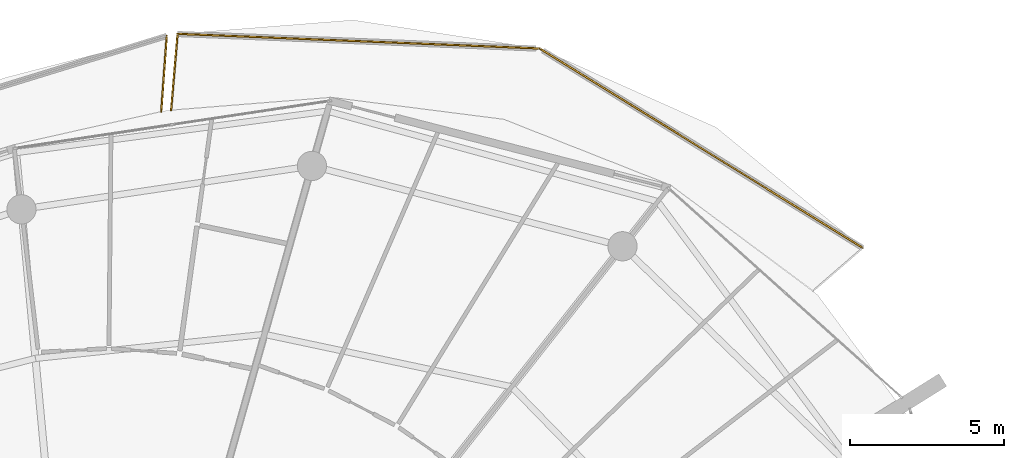
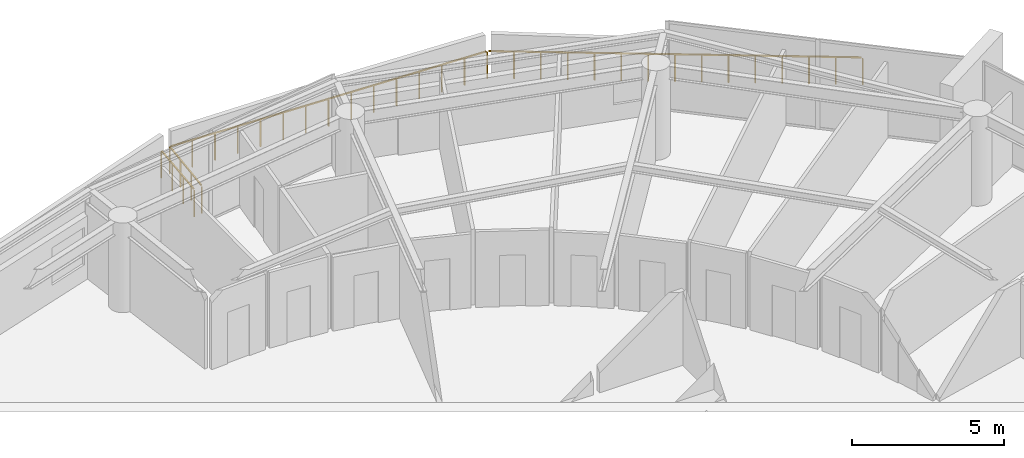
# One storey, part 30 of 30: 4 railings.
"""IFC4 building model written with IfcOpenShell, lengths in metres."""

from ifc_helpers import new_model, si_unit, direction, frame, origin, origin_2d, place, context, subcontext, project, spatial, rectangle, extrude, material, type_object, element, save


model = new_model("IFC4")

# Units and contexts
model_context = context("Model", 3, precision=1e-05, world=origin(), true_north=direction((0.0, 1.0)))
body_context = subcontext(model_context, "Body", "Model", "MODEL_VIEW")
ifc_project = project(units=[si_unit("LENGTHUNIT", "METRE"), si_unit("AREAUNIT", "SQUARE_METRE"), si_unit("VOLUMEUNIT", "CUBIC_METRE"), si_unit("PLANEANGLEUNIT", "RADIAN"), si_unit("MASSUNIT", "GRAM", prefix="KILO")], contexts=[model_context])

# Site, building, storey
site_placement = place(None, origin())
site = spatial("IfcSite", under=ifc_project, at=site_placement, CompositionType="ELEMENT")
building_placement = place(site_placement, origin())
building = spatial("IfcBuilding", under=site, at=building_placement, Name="Kazma Halo Residences", CompositionType="ELEMENT")
storey_placement = place(building_placement, frame((0.0, 0.0, 255.949951171875)))
storey = spatial("IfcBuildingStorey", under=building, at=storey_placement, Name="L64", CompositionType="ELEMENT", Elevation=255.949951171875)

# Railings
ifc_material = material(Name="Aluminium AW-6063 T6 Brushed Cap Rail", Category="aluminium")
railing_type = type_object("IfcRailingType", Name="RLG-BAL-CAP-1120", PredefinedType="BALUSTRADE", material=ifc_material)
railing_1_placement = place(storey_placement, frame((72.651611328125, 63.31640625, 0.0)))
element("IfcRailing", 1, at=railing_1_placement, inside=storey, type_object=railing_type, Name="L64 NE wave balcony guard 2", PredefinedType="BALUSTRADE", context=body_context, shape_type="SweptSolid", body=[
    extrude(rectangle(XDim=0.050048828125, YDim=0.050048828125, at=origin_2d()), frame((-0.0361328125, 0.0224609375, 1.09521484375), z_axis=(-0.85090135907, 0.525325496367, 0.0), x_axis=(-0.525325496367, -0.85090135907, 0.0)), (0.0, 0.0, 1.0), 12.24365234375),
    extrude(rectangle(XDim=0.0400390625, YDim=0.0400390625, at=origin_2d()), origin(), (0.0, 0.0, 1.0), 1.05810546875),
    extrude(rectangle(XDim=0.0400390625, YDim=0.0400390625, at=origin_2d()), frame((-0.749267578125, 0.462646484375, 0.0)), (0.0, 0.0, 1.0), 1.05810546875),
    extrude(rectangle(XDim=0.0400390625, YDim=0.0400390625, at=origin_2d()), frame((-1.49853515625, 0.92529296875, 0.0)), (0.0, 0.0, 1.0), 1.05810546875),
    extrude(rectangle(XDim=0.0400390625, YDim=0.0400390625, at=origin_2d()), frame((-2.248046875, 1.387939453125, 0.0)), (0.0, 0.0, 1.0), 1.05810546875),
    extrude(rectangle(XDim=0.0400390625, YDim=0.0400390625, at=origin_2d()), frame((-2.997314453125, 1.850341796875, 0.0)), (0.0, 0.0, 1.0), 1.05810546875),
    extrude(rectangle(XDim=0.0400390625, YDim=0.0400390625, at=origin_2d()), frame((-3.74658203125, 2.31298828125, 0.0)), (0.0, 0.0, 1.0), 1.05810546875),
    extrude(rectangle(XDim=0.0400390625, YDim=0.0400390625, at=origin_2d()), frame((-4.495849609375, 2.775634765625, 0.0)), (0.0, 0.0, 1.0), 1.05810546875),
    extrude(rectangle(XDim=0.0400390625, YDim=0.0400390625, at=origin_2d()), frame((-5.2451171875, 3.23828125, 0.0)), (0.0, 0.0, 1.0), 1.05810546875),
    extrude(rectangle(XDim=0.0400390625, YDim=0.0400390625, at=origin_2d()), frame((-5.99462890625, 3.700927734375, 0.0)), (0.0, 0.0, 1.0), 1.05810546875),
    extrude(rectangle(XDim=0.0400390625, YDim=0.0400390625, at=origin_2d()), frame((-6.743896484375, 4.16357421875, 0.0)), (0.0, 0.0, 1.0), 1.05810546875),
    extrude(rectangle(XDim=0.0400390625, YDim=0.0400390625, at=origin_2d()), frame((-7.4931640625, 4.626220703125, 0.0)), (0.0, 0.0, 1.0), 1.05810546875),
    extrude(rectangle(XDim=0.0400390625, YDim=0.0400390625, at=origin_2d()), frame((-8.242431640625, 5.088623046875, 0.0)), (0.0, 0.0, 1.0), 1.05810546875),
    extrude(rectangle(XDim=0.0400390625, YDim=0.0400390625, at=origin_2d()), frame((-8.991943359375, 5.55126953125, 0.0)), (0.0, 0.0, 1.0), 1.05810546875),
    extrude(rectangle(XDim=0.0400390625, YDim=0.0400390625, at=origin_2d()), frame((-9.7412109375, 6.013916015625, 0.0)), (0.0, 0.0, 1.0), 1.05810546875),
    extrude(rectangle(XDim=0.0400390625, YDim=0.0400390625, at=origin_2d()), frame((-10.490478515625, 6.4765625, 0.0)), (0.0, 0.0, 1.0), 1.05810546875),
])
railing_2_placement = place(storey_placement, frame((62.1611328125, 69.79296875, 0.0)))
element("IfcRailing", 2, at=railing_2_placement, inside=storey, type_object=railing_type, Name="L64 NE wave balcony guard 3", PredefinedType="BALUSTRADE", context=body_context, shape_type="SweptSolid", body=[
    extrude(rectangle(XDim=0.050048828125, YDim=0.050048828125, at=origin_2d()), frame((-0.04248046875, 0.001708984375, 1.09521484375), z_axis=(-0.999178574478, 0.04052377456, 0.0), x_axis=(-0.04052377456, -0.999178574478, 0.0)), (0.0, 0.0, 1.0), 11.68701171875),
    extrude(rectangle(XDim=0.0400390625, YDim=0.0400390625, at=origin_2d()), origin(), (0.0, 0.0, 1.0), 1.05810546875),
    extrude(rectangle(XDim=0.0400390625, YDim=0.0400390625, at=origin_2d()), frame((-0.840087890625, 0.0341796875, 0.0)), (0.0, 0.0, 1.0), 1.05810546875),
    extrude(rectangle(XDim=0.0400390625, YDim=0.0400390625, at=origin_2d()), frame((-1.680419921875, 0.068115234375, 0.0)), (0.0, 0.0, 1.0), 1.05810546875),
    extrude(rectangle(XDim=0.0400390625, YDim=0.0400390625, at=origin_2d()), frame((-2.5205078125, 0.102294921875, 0.0)), (0.0, 0.0, 1.0), 1.05810546875),
    extrude(rectangle(XDim=0.0400390625, YDim=0.0400390625, at=origin_2d()), frame((-3.360595703125, 0.13623046875, 0.0)), (0.0, 0.0, 1.0), 1.05810546875),
    extrude(rectangle(XDim=0.0400390625, YDim=0.0400390625, at=origin_2d()), frame((-4.200927734375, 0.17041015625, 0.0)), (0.0, 0.0, 1.0), 1.05810546875),
    extrude(rectangle(XDim=0.0400390625, YDim=0.0400390625, at=origin_2d()), frame((-5.041015625, 0.204345703125, 0.0)), (0.0, 0.0, 1.0), 1.05810546875),
    extrude(rectangle(XDim=0.0400390625, YDim=0.0400390625, at=origin_2d()), frame((-5.88134765625, 0.238525390625, 0.0)), (0.0, 0.0, 1.0), 1.05810546875),
    extrude(rectangle(XDim=0.0400390625, YDim=0.0400390625, at=origin_2d()), frame((-6.721435546875, 0.272705078125, 0.0)), (0.0, 0.0, 1.0), 1.05810546875),
    extrude(rectangle(XDim=0.0400390625, YDim=0.0400390625, at=origin_2d()), frame((-7.5615234375, 0.306640625, 0.0)), (0.0, 0.0, 1.0), 1.05810546875),
    extrude(rectangle(XDim=0.0400390625, YDim=0.0400390625, at=origin_2d()), frame((-8.40185546875, 0.3408203125, 0.0)), (0.0, 0.0, 1.0), 1.05810546875),
    extrude(rectangle(XDim=0.0400390625, YDim=0.0400390625, at=origin_2d()), frame((-9.241943359375, 0.374755859375, 0.0)), (0.0, 0.0, 1.0), 1.05810546875),
    extrude(rectangle(XDim=0.0400390625, YDim=0.0400390625, at=origin_2d()), frame((-10.08203125, 0.408935546875, 0.0)), (0.0, 0.0, 1.0), 1.05810546875),
    extrude(rectangle(XDim=0.0400390625, YDim=0.0400390625, at=origin_2d()), frame((-10.92236328125, 0.44287109375, 0.0)), (0.0, 0.0, 1.0), 1.05810546875),
    extrude(rectangle(XDim=0.0400390625, YDim=0.0400390625, at=origin_2d()), frame((-11.762451171875, 0.47705078125, 0.0)), (0.0, 0.0, 1.0), 1.05810546875),
])
railing_3_placement = place(storey_placement, frame((50.398681640625, 70.27001953125, 0.0)))
element("IfcRailing", 3, at=railing_3_placement, inside=storey, type_object=railing_type, Name="L64 NE wave balcony guard 4", PredefinedType="BALUSTRADE", context=body_context, shape_type="SweptSolid", body=[
    extrude(rectangle(XDim=0.050048828125, YDim=0.050048828125, at=origin_2d()), frame((-0.003662109375, -0.04248046875, 1.09521484375), z_axis=(-0.084500948915, -0.996423398778, 0.0), x_axis=(0.996423398778, -0.084500948915, 0.0)), (0.0, 0.0, 1.0), 2.399658203125),
    extrude(rectangle(XDim=0.0400390625, YDim=0.0400390625, at=origin_2d()), origin(), (0.0, 0.0, 1.0), 1.05810546875),
    extrude(rectangle(XDim=0.0400390625, YDim=0.0400390625, at=origin_2d()), frame((-0.070068359375, -0.8251953125, 0.0)), (0.0, 0.0, 1.0), 1.05810546875),
    extrude(rectangle(XDim=0.0400390625, YDim=0.0400390625, at=origin_2d()), frame((-0.139892578125, -1.650634765625, 0.0)), (0.0, 0.0, 1.0), 1.05810546875),
    extrude(rectangle(XDim=0.0400390625, YDim=0.0400390625, at=origin_2d()), frame((-0.2099609375, -2.475830078125, 0.0)), (0.0, 0.0, 1.0), 1.05810546875),
])
railing_4_placement = place(storey_placement, frame((49.8681640625, 67.74609375, 0.0)))
element("IfcRailing", 4, at=railing_4_placement, inside=storey, type_object=railing_type, Name="L64 NNW wave balcony guard 1", PredefinedType="BALUSTRADE", context=body_context, shape_type="SweptSolid", body=[
    extrude(rectangle(XDim=0.050048828125, YDim=0.050048828125, at=origin_2d()), frame((0.003173828125, 0.04248046875, 1.09521484375), z_axis=(0.072365602414, 0.997378172805, 0.0), x_axis=(-0.997378172805, 0.072365602414, 0.0)), (0.0, 0.0, 1.0), 2.381103515625),
    extrude(rectangle(XDim=0.0400390625, YDim=0.0400390625, at=origin_2d()), origin(), (0.0, 0.0, 1.0), 1.05810546875),
    extrude(rectangle(XDim=0.0400390625, YDim=0.0400390625, at=origin_2d()), frame((0.0595703125, 0.81982421875, 0.0)), (0.0, 0.0, 1.0), 1.05810546875),
    extrude(rectangle(XDim=0.0400390625, YDim=0.0400390625, at=origin_2d()), frame((0.118896484375, 1.639892578125, 0.0)), (0.0, 0.0, 1.0), 1.05810546875),
    extrude(rectangle(XDim=0.0400390625, YDim=0.0400390625, at=origin_2d()), frame((0.178466796875, 2.459716796875, 0.0)), (0.0, 0.0, 1.0), 1.05810546875),
])

save(model, "model.ifc")
